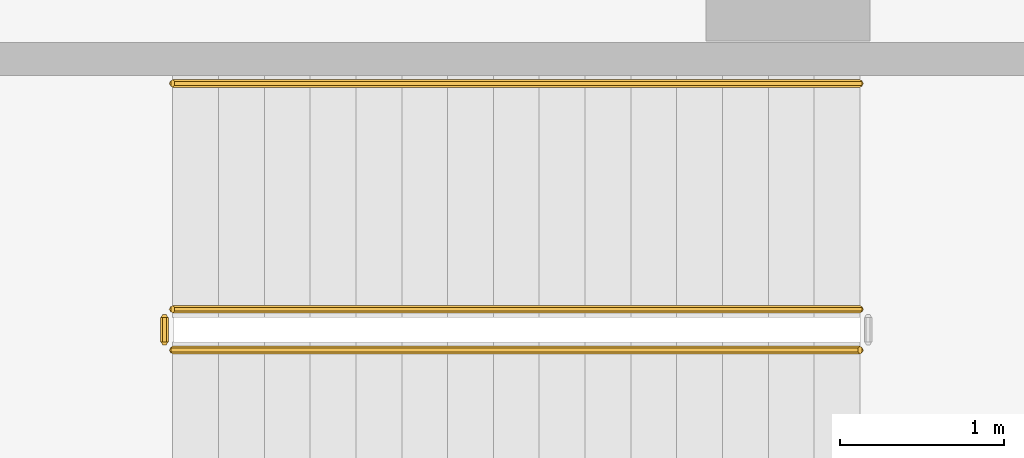
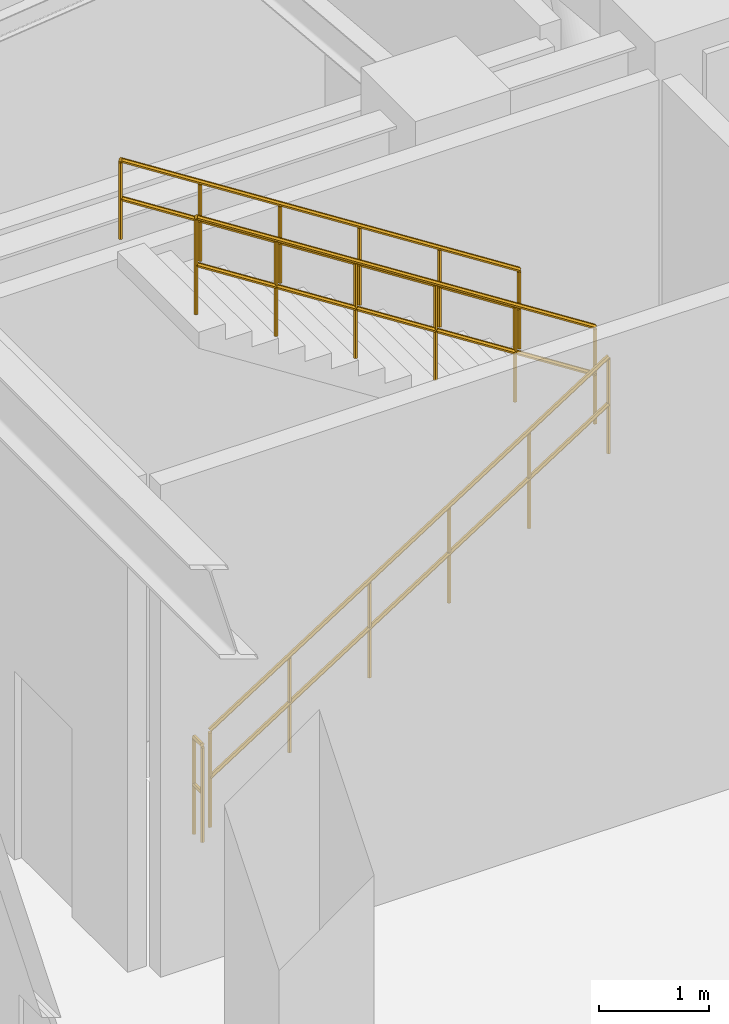
# One storey, part 7 of 8: 4 railings.
"""IFC4 building model written with IfcOpenShell, lengths in metres."""

from ifc_helpers import new_model, si_unit, direction, frame, origin, place, context, subcontext, project, spatial, polyline, outline, extrude, material, type_object, element, save


model = new_model("IFC4")

# Units and contexts
model_context = context("Model", 3, precision=1e-05, world=origin(), true_north=direction((0.0, 1.0)))
body_context = subcontext(model_context, "Body", "Model", "MODEL_VIEW")
ifc_project = project(units=[si_unit("LENGTHUNIT", "METRE"), si_unit("AREAUNIT", "SQUARE_METRE"), si_unit("VOLUMEUNIT", "CUBIC_METRE"), si_unit("PLANEANGLEUNIT", "RADIAN"), si_unit("MASSUNIT", "GRAM", prefix="KILO")], contexts=[model_context])

# Site, building, storey
site_placement = place(None, origin())
site = spatial("IfcSite", under=ifc_project, at=site_placement, CompositionType="ELEMENT")
building_placement = place(site_placement, origin())
building = spatial("IfcBuilding", under=site, at=building_placement, Name="Kelanora Arch Commons", CompositionType="ELEMENT")
storey_placement = place(building_placement, frame((0.0, 0.0, 242.9599609375)))
storey = spatial("IfcBuildingStorey", under=building, at=storey_placement, Name="L62", CompositionType="ELEMENT", Elevation=242.9599609375)

# Railings
ifc_material_1 = material(Name="Painted steel stair well guard", Category="steel")
railing_type_1 = type_object("IfcRailingType", Name="RAIL-STAIR-GRD", PredefinedType="GUARDRAIL", material=ifc_material_1)
railing_1_placement = place(storey_placement, frame((67.719970703125, 62.610107421875, 0.179443359375)))
element("IfcRailing", 1, at=railing_1_placement, inside=storey, type_object=railing_type_1, Name="L62 ST-T1 stair guard 1", PredefinedType="GUARDRAIL", context=body_context, shape_type="SweptSolid", body=[
    extrude(outline(polyline([(0.02392578125, 0.0), (0.011962890625, 0.020751953125), (-0.011962890625, 0.020751953125), (-0.02392578125, 0.0), (-0.011962890625, -0.020751953125), (0.011962890625, -0.020751953125), (0.02392578125, 0.0)])), frame((0.0, 0.0, 1.076171875), z_axis=(0.842025080683, 0.0, 0.539438377853), x_axis=(0.0, 1.0, 0.0)), (0.0, 0.0, 1.0), 4.988037109375),
    extrude(outline(polyline([(0.02392578125, 0.0), (0.011962890625, 0.020751953125), (-0.011962890625, 0.020751953125), (-0.02392578125, 0.0), (-0.011962890625, -0.020751953125), (0.011962890625, -0.020751953125), (0.02392578125, 0.0)])), frame((0.0, 0.0, 0.550048828125), z_axis=(0.842025080683, 0.0, 0.539438377853), x_axis=(0.0, 1.0, 0.0)), (0.0, 0.0, 1.0), 4.988037109375),
    extrude(outline(polyline([(0.02099609375, 0.0), (0.010498046875, 0.01806640625), (-0.010498046875, 0.01806640625), (-0.02099609375, 0.0), (-0.010498046875, -0.01806640625), (0.010498046875, -0.01806640625), (0.02099609375, 0.0)])), origin(), (0.0, 0.0, 1.0), 1.052001953125),
    extrude(outline(polyline([(0.02099609375, 0.0), (0.010498046875, 0.01806640625), (-0.010498046875, 0.01806640625), (-0.02099609375, 0.0), (-0.010498046875, -0.01806640625), (0.010498046875, -0.01806640625), (0.02099609375, 0.0)])), frame((0.840087890625, 0.0, 0.5380859375)), (0.0, 0.0, 1.0), 1.052001953125),
    extrude(outline(polyline([(0.02099609375, 0.0), (0.010498046875, 0.01806640625), (-0.010498046875, 0.01806640625), (-0.02099609375, 0.0), (-0.010498046875, -0.01806640625), (0.010498046875, -0.01806640625), (0.02099609375, 0.0)])), frame((1.679931640625, 0.0, 1.076171875)), (0.0, 0.0, 1.0), 1.052001953125),
    extrude(outline(polyline([(0.02099609375, 0.0), (0.010498046875, 0.01806640625), (-0.010498046875, 0.01806640625), (-0.02099609375, 0.0), (-0.010498046875, -0.01806640625), (0.010498046875, -0.01806640625), (0.02099609375, 0.0)])), frame((2.52001953125, 0.0, 1.614501953125)), (0.0, 0.0, 1.0), 1.052001953125),
    extrude(outline(polyline([(0.02099609375, 0.0), (0.010498046875, 0.01806640625), (-0.010498046875, 0.01806640625), (-0.02099609375, 0.0), (-0.010498046875, -0.01806640625), (0.010498046875, -0.01806640625), (0.02099609375, 0.0)])), frame((3.35986328125, 0.0, 2.152587890625)), (0.0, 0.0, 1.0), 1.052001953125),
    extrude(outline(polyline([(0.02099609375, 0.0), (0.010498046875, 0.01806640625), (-0.010498046875, 0.01806640625), (-0.02099609375, 0.0), (-0.010498046875, -0.01806640625), (0.010498046875, -0.01806640625), (0.02099609375, 0.0)])), frame((4.199951171875, 0.0, 2.690673828125)), (0.0, 0.0, 1.0), 1.052001953125),
])
railing_2_placement = place(storey_placement, frame((71.919921875, 62.860107421875, 3.04931640625)))
element("IfcRailing", 2, at=railing_2_placement, inside=storey, type_object=railing_type_1, Name="L62 ST-T1 stair guard 3", PredefinedType="GUARDRAIL", context=body_context, shape_type="SweptSolid", body=[
    extrude(outline(polyline([(0.02392578125, 0.0), (0.011962890625, 0.020751953125), (-0.011962890625, 0.020751953125), (-0.02392578125, 0.0), (-0.011962890625, -0.020751953125), (0.011962890625, -0.020751953125), (0.02392578125, 0.0)])), frame((0.0, 0.0, 1.076171875), z_axis=(-0.842025080683, 0.0, 0.539438377853), x_axis=(0.0, -1.0, 0.0)), (0.0, 0.0, 1.0), 4.988037109375),
    extrude(outline(polyline([(0.02392578125, 0.0), (0.011962890625, 0.020751953125), (-0.011962890625, 0.020751953125), (-0.02392578125, 0.0), (-0.011962890625, -0.020751953125), (0.011962890625, -0.020751953125), (0.02392578125, 0.0)])), frame((0.0, 0.0, 0.550048828125), z_axis=(-0.842025080683, 0.0, 0.539438377853), x_axis=(0.0, -1.0, 0.0)), (0.0, 0.0, 1.0), 4.988037109375),
    extrude(outline(polyline([(0.02099609375, 0.0), (0.010498046875, 0.01806640625), (-0.010498046875, 0.01806640625), (-0.02099609375, 0.0), (-0.010498046875, -0.01806640625), (0.010498046875, -0.01806640625), (0.02099609375, 0.0)])), origin(), (0.0, 0.0, 1.0), 1.052001953125),
    extrude(outline(polyline([(0.02099609375, 0.0), (0.010498046875, 0.01806640625), (-0.010498046875, 0.01806640625), (-0.02099609375, 0.0), (-0.010498046875, -0.01806640625), (0.010498046875, -0.01806640625), (0.02099609375, 0.0)])), frame((-0.840087890625, 0.0, 0.5380859375)), (0.0, 0.0, 1.0), 1.052001953125),
    extrude(outline(polyline([(0.02099609375, 0.0), (0.010498046875, 0.01806640625), (-0.010498046875, 0.01806640625), (-0.02099609375, 0.0), (-0.010498046875, -0.01806640625), (0.010498046875, -0.01806640625), (0.02099609375, 0.0)])), frame((-1.679931640625, 0.0, 1.076171875)), (0.0, 0.0, 1.0), 1.052001953125),
    extrude(outline(polyline([(0.02099609375, 0.0), (0.010498046875, 0.01806640625), (-0.010498046875, 0.01806640625), (-0.02099609375, 0.0), (-0.010498046875, -0.01806640625), (0.010498046875, -0.01806640625), (0.02099609375, 0.0)])), frame((-2.52001953125, 0.0, 1.614501953125)), (0.0, 0.0, 1.0), 1.052001953125),
    extrude(outline(polyline([(0.02099609375, 0.0), (0.010498046875, 0.01806640625), (-0.010498046875, 0.01806640625), (-0.02099609375, 0.0), (-0.010498046875, -0.01806640625), (0.010498046875, -0.01806640625), (0.02099609375, 0.0)])), frame((-3.35986328125, 0.0, 2.152587890625)), (0.0, 0.0, 1.0), 1.052001953125),
    extrude(outline(polyline([(0.02099609375, 0.0), (0.010498046875, 0.01806640625), (-0.010498046875, 0.01806640625), (-0.02099609375, 0.0), (-0.010498046875, -0.01806640625), (0.010498046875, -0.01806640625), (0.02099609375, 0.0)])), frame((-4.199951171875, 0.0, 2.690673828125)), (0.0, 0.0, 1.0), 1.052001953125),
])
railing_3_placement = place(storey_placement, frame((67.669921875, 62.659912109375, 0.0)))
element("IfcRailing", 3, at=railing_3_placement, inside=storey, type_object=railing_type_1, Name="L62 ST-T1 stair guard 4", PredefinedType="GUARDRAIL", context=body_context, shape_type="SweptSolid", body=[
    extrude(outline(polyline([(0.02392578125, 0.0), (0.011962890625, 0.020751953125), (-0.011962890625, 0.020751953125), (-0.02392578125, 0.0), (-0.011962890625, -0.020751953125), (0.011962890625, -0.020751953125), (0.02392578125, 0.0)])), frame((0.0, 0.0, 1.076171875), z_axis=(0.0, 1.0, 0.0), x_axis=(-1.0, 0.0, 0.0)), (0.0, 0.0, 1.0), 0.150146484375),
    extrude(outline(polyline([(0.02392578125, 0.0), (0.011962890625, 0.020751953125), (-0.011962890625, 0.020751953125), (-0.02392578125, 0.0), (-0.011962890625, -0.020751953125), (0.011962890625, -0.020751953125), (0.02392578125, 0.0)])), frame((0.0, 0.0, 0.550048828125), z_axis=(0.0, 1.0, 0.0), x_axis=(-1.0, 0.0, 0.0)), (0.0, 0.0, 1.0), 0.150146484375),
    extrude(outline(polyline([(0.02099609375, 0.0), (0.010498046875, 0.01806640625), (-0.010498046875, 0.01806640625), (-0.02099609375, 0.0), (-0.010498046875, -0.01806640625), (0.010498046875, -0.01806640625), (0.02099609375, 0.0)])), origin(), (0.0, 0.0, 1.0), 1.052001953125),
    extrude(outline(polyline([(0.02099609375, 0.0), (0.010498046875, 0.01806640625), (-0.010498046875, 0.01806640625), (-0.02099609375, 0.0), (-0.010498046875, -0.01806640625), (0.010498046875, -0.01806640625), (0.02099609375, 0.0)])), frame((0.0, 0.150146484375, 0.0)), (0.0, 0.0, 1.0), 1.052001953125),
])
ifc_material_2 = material(Name="Brushed stainless steel stair handrail", Category="steel")
railing_type_2 = type_object("IfcRailingType", Name="RAIL-STAIR-HND", PredefinedType="HANDRAIL", material=ifc_material_2)
railing_4_placement = place(storey_placement, frame((71.919921875, 64.239990234375, 3.04931640625)))
element("IfcRailing", 4, at=railing_4_placement, inside=storey, type_object=railing_type_2, Name="L62 ST-T1 stair handrail 2", PredefinedType="HANDRAIL", context=body_context, shape_type="SweptSolid", body=[
    extrude(outline(polyline([(0.02392578125, 0.0), (0.011962890625, 0.020751953125), (-0.011962890625, 0.020751953125), (-0.02392578125, 0.0), (-0.011962890625, -0.020751953125), (0.011962890625, -0.020751953125), (0.02392578125, 0.0)])), frame((0.0, 0.0, 0.8759765625), z_axis=(-0.842025080683, 0.0, 0.539438377853), x_axis=(0.0, -1.0, 0.0)), (0.0, 0.0, 1.0), 4.988037109375),
    extrude(outline(polyline([(0.02392578125, 0.0), (0.011962890625, 0.020751953125), (-0.011962890625, 0.020751953125), (-0.02392578125, 0.0), (-0.011962890625, -0.020751953125), (0.011962890625, -0.020751953125), (0.02392578125, 0.0)])), frame((0.0, 0.0, 0.449951171875), z_axis=(-0.842025080683, 0.0, 0.539438377853), x_axis=(0.0, -1.0, 0.0)), (0.0, 0.0, 1.0), 4.988037109375),
    extrude(outline(polyline([(0.02099609375, 0.0), (0.010498046875, 0.01806640625), (-0.010498046875, 0.01806640625), (-0.02099609375, 0.0), (-0.010498046875, -0.01806640625), (0.010498046875, -0.01806640625), (0.02099609375, 0.0)])), origin(), (0.0, 0.0, 1.0), 0.851806640625),
    extrude(outline(polyline([(0.02099609375, 0.0), (0.010498046875, 0.01806640625), (-0.010498046875, 0.01806640625), (-0.02099609375, 0.0), (-0.010498046875, -0.01806640625), (0.010498046875, -0.01806640625), (0.02099609375, 0.0)])), frame((-0.840087890625, 0.0, 0.5380859375)), (0.0, 0.0, 1.0), 0.851806640625),
    extrude(outline(polyline([(0.02099609375, 0.0), (0.010498046875, 0.01806640625), (-0.010498046875, 0.01806640625), (-0.02099609375, 0.0), (-0.010498046875, -0.01806640625), (0.010498046875, -0.01806640625), (0.02099609375, 0.0)])), frame((-1.679931640625, 0.0, 1.076171875)), (0.0, 0.0, 1.0), 0.851806640625),
    extrude(outline(polyline([(0.02099609375, 0.0), (0.010498046875, 0.01806640625), (-0.010498046875, 0.01806640625), (-0.02099609375, 0.0), (-0.010498046875, -0.01806640625), (0.010498046875, -0.01806640625), (0.02099609375, 0.0)])), frame((-2.52001953125, 0.0, 1.614501953125)), (0.0, 0.0, 1.0), 0.851806640625),
    extrude(outline(polyline([(0.02099609375, 0.0), (0.010498046875, 0.01806640625), (-0.010498046875, 0.01806640625), (-0.02099609375, 0.0), (-0.010498046875, -0.01806640625), (0.010498046875, -0.01806640625), (0.02099609375, 0.0)])), frame((-3.35986328125, 0.0, 2.152587890625)), (0.0, 0.0, 1.0), 0.851806640625),
    extrude(outline(polyline([(0.02099609375, 0.0), (0.010498046875, 0.01806640625), (-0.010498046875, 0.01806640625), (-0.02099609375, 0.0), (-0.010498046875, -0.01806640625), (0.010498046875, -0.01806640625), (0.02099609375, 0.0)])), frame((-4.199951171875, 0.0, 2.690673828125)), (0.0, 0.0, 1.0), 0.851806640625),
])

save(model, "model.ifc")
